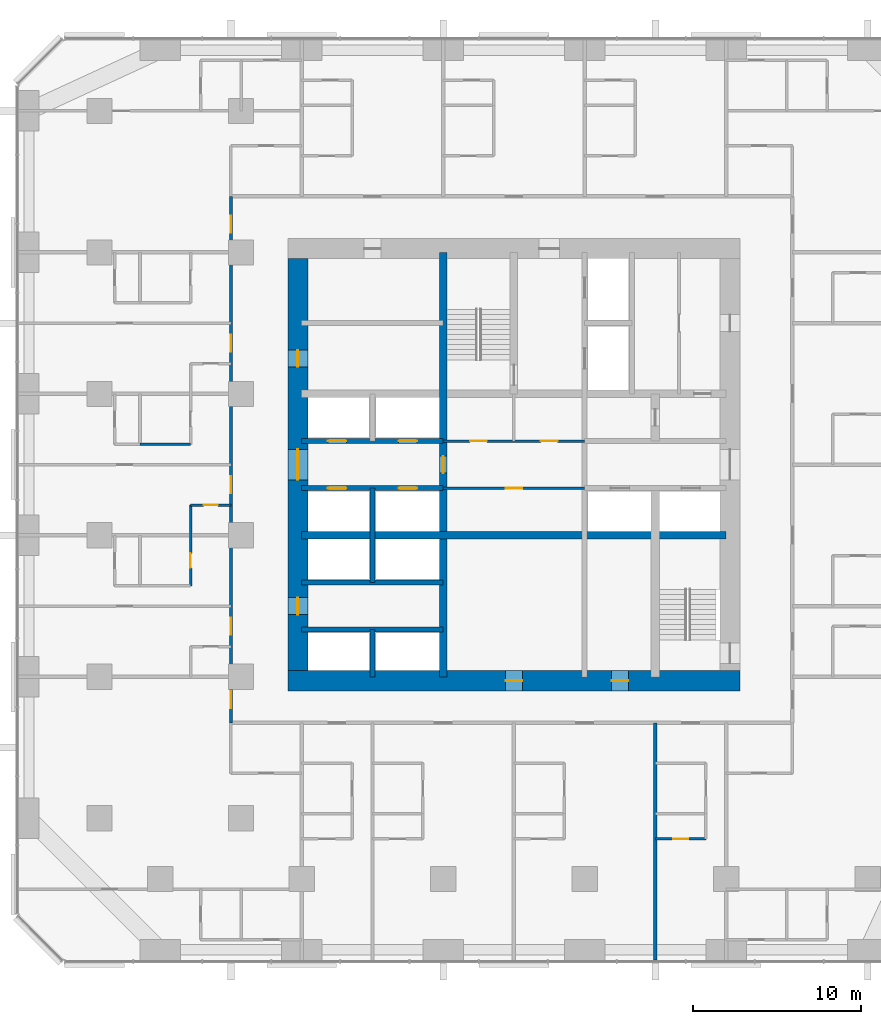
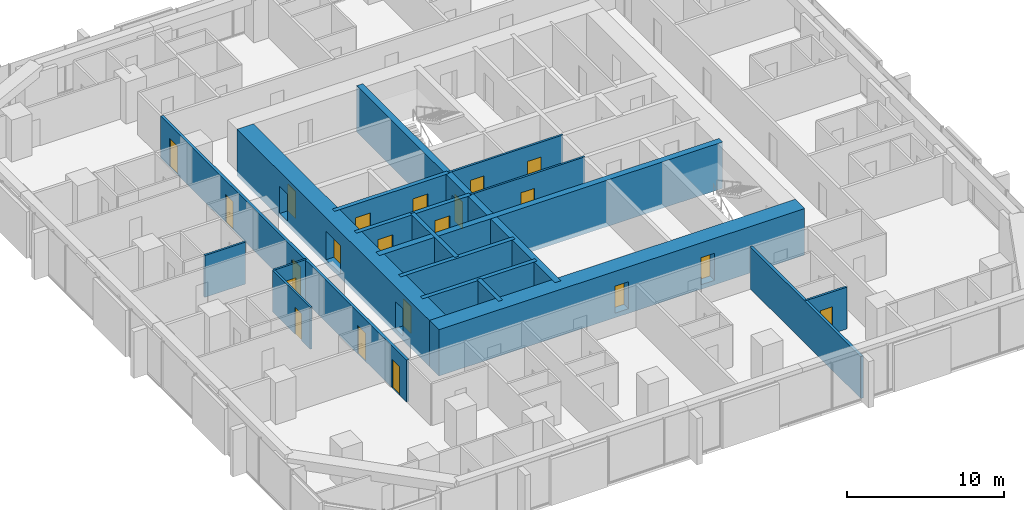
# One storey, part 9 of 14: 21 doors, 18 walls, 21 openings.
"""IFC4 building model written with IfcOpenShell, lengths in metres."""

from ifc_helpers import new_model, si_unit, direction, frame, frame_2d, origin, place, context, subcontext, project, spatial, rectangle, extrude, material, layer, layer_set, type_object, element, fill, save


model = new_model("IFC4")

# Units and contexts
model_context = context("Model", 3, precision=1e-05, world=origin(), true_north=direction((0.0, 1.0)))
body_context = subcontext(model_context, "Body", "Model", "MODEL_VIEW")
ifc_project = project(units=[si_unit("LENGTHUNIT", "METRE"), si_unit("AREAUNIT", "SQUARE_METRE"), si_unit("VOLUMEUNIT", "CUBIC_METRE"), si_unit("PLANEANGLEUNIT", "RADIAN"), si_unit("MASSUNIT", "GRAM", prefix="KILO")], contexts=[model_context])

# Site, building, storey
site_placement = place(None, origin())
site = spatial("IfcSite", under=ifc_project, at=site_placement, CompositionType="ELEMENT")
building_placement = place(site_placement, origin())
building = spatial("IfcBuilding", under=site, at=building_placement, Name="Dunama Terrace Hotel", CompositionType="ELEMENT")
storey_placement = place(building_placement, frame((0.0, 0.0, 104.39990234375)))
storey = spatial("IfcBuildingStorey", under=building, at=storey_placement, Name="L26", CompositionType="ELEMENT", Elevation=104.39990234375)

# Wall, opening, door
ifc_material_1 = material(Name="Gypsum board partition", Category="masonry")
ifc_layer_1 = layer(ifc_material_1, 0.14990234375)
ifc_layer_set_1 = layer_set([ifc_layer_1], Name="Bathroom partition 150")
wall_type_1 = type_object("IfcWallType", Name="Bathroom partition 150", PredefinedType="PARTITIONING", material=ifc_layer_set_1)
wall_1_placement = place(storey_placement, frame((10.199951171875, 22.199951171875, 0.0), z_axis=(0.0, 0.0, 1.0), x_axis=(0.0, 1.0, 0.0)))
wall_1 = element("IfcWall", 1, at=wall_1_placement, inside=storey, type_object=wall_type_1, Name="Bathroom partition 150 L26", PredefinedType="PARTITIONING", context=body_context, shape_type="SweptSolid", body=[
    extrude(rectangle(XDim=4.800048828125, YDim=0.14990234375, at=frame_2d((2.39990234375, 0.0))), origin(), (0.0, 0.0, 1.0), 3.25),
])
opening_1_placement = place(wall_1_placement, frame((1.074951171875, 0.0, 0.0)))
opening_1 = element("IfcOpeningElement", 2, at=opening_1_placement, cuts=wall_1, Name="Opening L25-27-047", PredefinedType="OPENING", context=body_context, shape_type="SweptSolid", body=[
    extrude(rectangle(XDim=0.85009765625, YDim=2.10009765625, at=frame_2d((0.425048828125, 1.050048828125))), frame((0.0, 0.0849609375, 0.0), z_axis=(0.0, -1.0, 0.0), x_axis=(1.0, 0.0, 0.0)), (0.0, 0.0, 1.0), 0.169921875),
])
ifc_material_2 = material(Name="Timber door with steel frame", Category="steel")
door_type_1 = type_object("IfcDoorType", Name="Bathroom door 850", OperationType="SINGLE_SWING_LEFT", PredefinedType="DOOR", material=ifc_material_2)
door_1_placement = place(opening_1_placement, origin())
door_1 = element("IfcDoor", 3, at=door_1_placement, inside=storey, type_object=door_type_1, Name="Door to en-suite bathroom L25-27-047, type D2", OperationType="SINGLE_SWING_RIGHT", OverallHeight=2.10009765625, OverallWidth=0.85009765625, PredefinedType="DOOR", context=body_context, shape_type="SweptSolid", body=[
    extrude(rectangle(XDim=0.85009765625, YDim=2.10009765625, at=frame_2d((0.425048828125, 1.050048828125))), frame((0.0, 0.02490234375, 0.0), z_axis=(0.0, -1.0, 0.0), x_axis=(1.0, 0.0, 0.0)), (0.0, 0.0, 1.0), 0.050048828125),
])
fill(opening_1, door_1)

wall_2_placement = place(storey_placement, frame((10.199951171875, 27.0, 0.0), z_axis=(0.0, 0.0, 1.0), x_axis=(1.0, 0.0, 0.0)))
wall_2 = element("IfcWall", 4, at=wall_2_placement, inside=storey, type_object=wall_type_1, Name="Bathroom partition 150 L26", PredefinedType="PARTITIONING", context=body_context, shape_type="SweptSolid", body=[
    extrude(rectangle(XDim=2.400146484375, YDim=0.14990234375, at=frame_2d((1.2001953125, 0.0))), origin(), (0.0, 0.0, 1.0), 3.25),
])
opening_2_placement = place(wall_2_placement, frame((0.77490234375, 0.0, 0.0)))
opening_2 = element("IfcOpeningElement", 5, at=opening_2_placement, cuts=wall_2, Name="Opening L25-27-050", PredefinedType="OPENING", context=body_context, shape_type="SweptSolid", body=[
    extrude(rectangle(XDim=0.85009765625, YDim=2.10009765625, at=frame_2d((0.425048828125, 1.050048828125))), frame((0.0, 0.0849609375, 0.0), z_axis=(0.0, -1.0, 0.0), x_axis=(1.0, 0.0, 0.0)), (0.0, 0.0, 1.0), 0.169921875),
])
door_2_placement = place(opening_2_placement, frame((0.85009765625, 0.0, 0.0), z_axis=(0.0, 0.0, 1.0), x_axis=(-1.0, 0.0, 0.0)))
door_2 = element("IfcDoor", 6, at=door_2_placement, inside=storey, type_object=door_type_1, Name="Door to powder room L25-27-050, type D2", OperationType="SINGLE_SWING_LEFT", OverallHeight=2.10009765625, OverallWidth=0.85009765625, PredefinedType="DOOR", context=body_context, shape_type="SweptSolid", body=[
    extrude(rectangle(XDim=0.85009765625, YDim=2.10009765625, at=frame_2d((0.425048828125, 1.050048828125))), frame((0.0, 0.025146484375, 0.0), z_axis=(0.0, -1.0, 0.0), x_axis=(1.0, 0.0, 0.0)), (0.0, 0.0, 1.0), 0.050048828125),
])
fill(opening_2, door_2)

# Walls
wall_3_placement = place(storey_placement, frame((7.199951171875, 30.60009765625, 0.0), z_axis=(0.0, 0.0, 1.0), x_axis=(1.0, 0.0, 0.0)))
element("IfcWall", 7, at=wall_3_placement, inside=storey, type_object=wall_type_1, Name="Bathroom partition 150 L26", PredefinedType="PARTITIONING", context=body_context, shape_type="SweptSolid", body=[
    extrude(rectangle(XDim=3.0, YDim=0.14990234375, at=frame_2d((1.5, 0.0))), origin(), (0.0, 0.0, 1.0), 3.25),
])
ifc_material_3 = material(Name="Concrete C50/60", Category="concrete")
ifc_layer_2 = layer(ifc_material_3, 0.300048828125)
ifc_layer_set_2 = layer_set([ifc_layer_2], Name="Core inner wall 300")
wall_type_2 = type_object("IfcWallType", Name="Core inner wall 300", PredefinedType="SHEAR", material=ifc_layer_set_2)
wall_4_placement = place(storey_placement, frame((21.0, 16.800048828125, -0.349853515625), z_axis=(0.0, 0.0, 1.0), x_axis=(0.0, 1.0, 0.0)))
element("IfcWall", 8, at=wall_4_placement, inside=storey, type_object=wall_type_2, Name="Core inner wall 300 L26", PredefinedType="SHEAR", context=body_context, shape_type="SweptSolid", body=[
    extrude(rectangle(XDim=2.800048828125, YDim=0.300048828125, at=frame_2d((1.39990234375, 0.0))), origin(), (0.0, 0.0, 1.0), 3.599853515625),
])
wall_5_placement = place(storey_placement, frame((21.0, 22.39990234375, -0.349853515625), z_axis=(0.0, 0.0, 1.0), x_axis=(0.0, 1.0, 0.0)))
element("IfcWall", 9, at=wall_5_placement, inside=storey, type_object=wall_type_2, Name="Core inner wall 300 L26", PredefinedType="SHEAR", context=body_context, shape_type="SweptSolid", body=[
    extrude(rectangle(XDim=5.60009765625, YDim=0.300048828125, at=frame_2d((2.800048828125, 0.0))), origin(), (0.0, 0.0, 1.0), 3.599853515625),
])
for number, where, z_axis, x_axis, name in (
    (10, (16.800048828125, 19.60009765625, -0.349853515625), (0.0, 0.0, 1.0), (1.0, 0.0, 0.0), "Core inner wall 300 L26"),
    (11, (16.800048828125, 22.39990234375, -0.349853515625), (0.0, 0.0, 1.0), (1.0, 0.0, 0.0), "Core inner wall 300 L26"),
):
    element("IfcWall", number, at=place(storey_placement, frame(where, z_axis=z_axis, x_axis=x_axis)), inside=storey, type_object=wall_type_2, Name=name, PredefinedType="SHEAR", context=body_context, shape_type="SweptSolid", body=[
        extrude(rectangle(XDim=8.39990234375, YDim=0.300048828125, at=frame_2d((4.199951171875, 0.0))), origin(), (0.0, 0.0, 1.0), 3.599853515625),
    ])

# Wall, openings, doors
wall_6_placement = place(storey_placement, frame((16.800048828125, 28.0, -0.349853515625), z_axis=(0.0, 0.0, 1.0), x_axis=(1.0, 0.0, 0.0)))
wall_6 = element("IfcWall", 12, at=wall_6_placement, inside=storey, type_object=wall_type_2, Name="Core inner wall 300 L26", PredefinedType="SHEAR", context=body_context, shape_type="SweptSolid", body=[
    extrude(rectangle(XDim=8.39990234375, YDim=0.300048828125, at=frame_2d((4.199951171875, 0.0))), origin(), (0.0, 0.0, 1.0), 3.599853515625),
])
opening_3_placement = place(wall_6_placement, frame((1.550048828125, 0.0, 0.35009765625)))
opening_3 = element("IfcOpeningElement", 13, at=opening_3_placement, cuts=wall_6, Name="Opening L25-27-005", PredefinedType="OPENING", context=body_context, shape_type="SweptSolid", body=[
    extrude(rectangle(XDim=1.10009765625, YDim=2.199951171875, at=frame_2d((0.550048828125, 1.10009765625))), frame((0.0, 0.159912109375, 0.0), z_axis=(0.0, -1.0, 0.0), x_axis=(1.0, 0.0, 0.0)), (0.0, 0.0, 1.0), 0.320068359375),
])
opening_4_placement = place(wall_6_placement, frame((5.75, 0.0, 0.35009765625)))
opening_4 = element("IfcOpeningElement", 14, at=opening_4_placement, cuts=wall_6, Name="Opening L25-27-006", PredefinedType="OPENING", context=body_context, shape_type="SweptSolid", body=[
    extrude(rectangle(XDim=1.10009765625, YDim=2.199951171875, at=frame_2d((0.550048828125, 1.10009765625))), frame((0.0, 0.159912109375, 0.0), z_axis=(0.0, -1.0, 0.0), x_axis=(1.0, 0.0, 0.0)), (0.0, 0.0, 1.0), 0.320068359375),
])
ifc_material_4 = material(Name="Stainless steel lift door", Category="steel")
door_type_2 = type_object("IfcDoorType", Name="Lift landing door 1100", OperationType="DOUBLE_DOOR_SLIDING", PredefinedType="DOOR", material=ifc_material_4)
door_3_placement = place(opening_3_placement, origin())
door_3 = element("IfcDoor", 15, at=door_3_placement, inside=storey, type_object=door_type_2, Name="Landing door PC1 L25-27-005, type LD1", OperationType="DOUBLE_DOOR_SLIDING", OverallHeight=2.199951171875, OverallWidth=1.10009765625, PredefinedType="DOOR", context=body_context, shape_type="SweptSolid", body=[
    extrude(rectangle(XDim=1.10009765625, YDim=2.199951171875, at=frame_2d((0.550048828125, 1.10009765625))), frame((0.0, 0.02490234375, 0.0), z_axis=(0.0, -1.0, 0.0), x_axis=(1.0, 0.0, 0.0)), (0.0, 0.0, 1.0), 0.050048828125),
])
fill(opening_3, door_3)
door_4_placement = place(opening_4_placement, origin())
door_4 = element("IfcDoor", 16, at=door_4_placement, inside=storey, type_object=door_type_2, Name="Landing door PC2 L25-27-006, type LD1", OperationType="DOUBLE_DOOR_SLIDING", OverallHeight=2.199951171875, OverallWidth=1.10009765625, PredefinedType="DOOR", context=body_context, shape_type="SweptSolid", body=[
    extrude(rectangle(XDim=1.10009765625, YDim=2.199951171875, at=frame_2d((0.550048828125, 1.10009765625))), frame((0.0, 0.02490234375, 0.0), z_axis=(0.0, -1.0, 0.0), x_axis=(1.0, 0.0, 0.0)), (0.0, 0.0, 1.0), 0.050048828125),
])
fill(opening_4, door_4)

wall_7_placement = place(storey_placement, frame((16.800048828125, 30.800048828125, -0.349853515625), z_axis=(0.0, 0.0, 1.0), x_axis=(1.0, 0.0, 0.0)))
wall_7 = element("IfcWall", 17, at=wall_7_placement, inside=storey, type_object=wall_type_2, Name="Core inner wall 300 L26", PredefinedType="SHEAR", context=body_context, shape_type="SweptSolid", body=[
    extrude(rectangle(XDim=8.39990234375, YDim=0.300048828125, at=frame_2d((4.199951171875, 0.0))), origin(), (0.0, 0.0, 1.0), 3.599853515625),
])
opening_5_placement = place(wall_7_placement, frame((1.550048828125, 0.0, 0.35009765625)))
opening_5 = element("IfcOpeningElement", 18, at=opening_5_placement, cuts=wall_7, Name="Opening L25-27-007", PredefinedType="OPENING", context=body_context, shape_type="SweptSolid", body=[
    extrude(rectangle(XDim=1.10009765625, YDim=2.199951171875, at=frame_2d((0.550048828125, 1.10009765625))), frame((0.0, 0.159912109375, 0.0), z_axis=(0.0, -1.0, 0.0), x_axis=(1.0, 0.0, 0.0)), (0.0, 0.0, 1.0), 0.320068359375),
])
opening_6_placement = place(wall_7_placement, frame((5.75, 0.0, 0.35009765625)))
opening_6 = element("IfcOpeningElement", 19, at=opening_6_placement, cuts=wall_7, Name="Opening L25-27-008", PredefinedType="OPENING", context=body_context, shape_type="SweptSolid", body=[
    extrude(rectangle(XDim=1.10009765625, YDim=2.199951171875, at=frame_2d((0.550048828125, 1.10009765625))), frame((0.0, 0.159912109375, 0.0), z_axis=(0.0, -1.0, 0.0), x_axis=(1.0, 0.0, 0.0)), (0.0, 0.0, 1.0), 0.320068359375),
])
door_5_placement = place(opening_5_placement, origin())
door_5 = element("IfcDoor", 20, at=door_5_placement, inside=storey, type_object=door_type_2, Name="Landing door PC3 L25-27-007, type LD1", OperationType="DOUBLE_DOOR_SLIDING", OverallHeight=2.199951171875, OverallWidth=1.10009765625, PredefinedType="DOOR", context=body_context, shape_type="SweptSolid", body=[
    extrude(rectangle(XDim=1.10009765625, YDim=2.199951171875, at=frame_2d((0.550048828125, 1.10009765625))), frame((0.0, 0.02490234375, 0.0), z_axis=(0.0, -1.0, 0.0), x_axis=(1.0, 0.0, 0.0)), (0.0, 0.0, 1.0), 0.050048828125),
])
fill(opening_5, door_5)
door_6_placement = place(opening_6_placement, origin())
door_6 = element("IfcDoor", 21, at=door_6_placement, inside=storey, type_object=door_type_2, Name="Landing door PC4 L25-27-008, type LD1", OperationType="DOUBLE_DOOR_SLIDING", OverallHeight=2.199951171875, OverallWidth=1.10009765625, PredefinedType="DOOR", context=body_context, shape_type="SweptSolid", body=[
    extrude(rectangle(XDim=1.10009765625, YDim=2.199951171875, at=frame_2d((0.550048828125, 1.10009765625))), frame((0.0, 0.02490234375, 0.0), z_axis=(0.0, -1.0, 0.0), x_axis=(1.0, 0.0, 0.0)), (0.0, 0.0, 1.0), 0.050048828125),
])
fill(opening_6, door_6)

# Wall, opening, door
ifc_material_5 = material(Name="Concrete C50/60", Category="concrete")
ifc_layer_3 = layer(ifc_material_5, 0.449951171875)
ifc_layer_set_3 = layer_set([ifc_layer_3], Name="Core inner wall 450")
wall_type_3 = type_object("IfcWallType", Name="Core inner wall 450", PredefinedType="SHEAR", material=ifc_layer_set_3)
wall_8_placement = place(storey_placement, frame((25.199951171875, 16.800048828125, -0.349853515625), z_axis=(0.0, 0.0, 1.0), x_axis=(0.0, 1.0, 0.0)))
wall_8 = element("IfcWall", 22, at=wall_8_placement, inside=storey, type_object=wall_type_3, Name="Core inner wall 450 L26", PredefinedType="SHEAR", context=body_context, shape_type="SweptSolid", body=[
    extrude(rectangle(XDim=25.199951171875, YDim=0.449951171875, at=frame_2d((12.60009765625, 0.0))), origin(), (0.0, 0.0, 1.0), 3.599853515625),
])
opening_7_placement = place(wall_8_placement, frame((12.10009765625, 0.0, 0.35009765625)))
opening_7 = element("IfcOpeningElement", 23, at=opening_7_placement, cuts=wall_8, Name="Opening L25-27-083", PredefinedType="OPENING", context=body_context, shape_type="SweptSolid", body=[
    extrude(rectangle(XDim=1.0, YDim=2.10009765625, at=frame_2d((0.5, 1.050048828125))), frame((0.0, 0.23486328125, 0.0), z_axis=(0.0, -1.0, 0.0), x_axis=(1.0, 0.0, 0.0)), (0.0, 0.0, 1.0), 0.469970703125),
])
ifc_material_6 = material(Name="Timber door with steel frame", Category="steel")
door_type_3 = type_object("IfcDoorType", Name="Service door 1000", OperationType="SINGLE_SWING_LEFT", PredefinedType="DOOR", material=ifc_material_6)
door_7_placement = place(opening_7_placement, origin())
door_7 = element("IfcDoor", 24, at=door_7_placement, inside=storey, type_object=door_type_3, Name="Door to guest services passage L25-27-083, type D7", OperationType="SINGLE_SWING_LEFT", OverallHeight=2.10009765625, OverallWidth=1.0, PredefinedType="DOOR", context=body_context, shape_type="SweptSolid", body=[
    extrude(rectangle(XDim=1.0, YDim=2.10009765625, at=frame_2d((0.5, 1.050048828125))), frame((0.0, 0.02490234375, 0.0), z_axis=(0.0, -1.0, 0.0), x_axis=(1.0, 0.0, 0.0)), (0.0, 0.0, 1.0), 0.050048828125),
])
fill(opening_7, door_7)

# Wall
wall_9_placement = place(storey_placement, frame((16.800048828125, 25.199951171875, -0.349853515625), z_axis=(0.0, 0.0, 1.0), x_axis=(1.0, 0.0, 0.0)))
element("IfcWall", 25, at=wall_9_placement, inside=storey, type_object=wall_type_3, Name="Core inner wall 450 L26", PredefinedType="SHEAR", context=body_context, shape_type="SweptSolid", body=[
    extrude(rectangle(XDim=25.199951171875, YDim=0.449951171875, at=frame_2d((12.60009765625, 0.0))), origin(), (0.0, 0.0, 1.0), 3.599853515625),
])

# Wall, openings, doors
ifc_material_7 = material(Name="Concrete C60/75", Category="concrete")
ifc_layer_4 = layer(ifc_material_7, 1.199951171875)
ifc_layer_set_4 = layer_set([ifc_layer_4], Name="Core wall 1200")
wall_type_4 = type_object("IfcWallType", Name="Core wall 1200", PredefinedType="SHEAR", material=ifc_layer_set_4)
wall_10_placement = place(storey_placement, frame((15.97509765625, 16.574951171875, -0.349853515625), z_axis=(0.0, 0.0, 1.0), x_axis=(1.0, 0.0, 0.0)))
wall_10 = element("IfcWall", 26, at=wall_10_placement, inside=storey, type_object=wall_type_4, Name="Core wall south L26", PredefinedType="SHEAR", context=body_context, shape_type="SweptSolid", body=[
    extrude(rectangle(XDim=26.849853515625, YDim=1.199951171875, at=frame_2d((13.4248046875, 0.0))), origin(), (0.0, 0.0, 1.0), 3.599853515625),
])
opening_8_placement = place(wall_10_placement, frame((12.925048828125, 0.0, 0.35009765625)))
opening_8 = element("IfcOpeningElement", 27, at=opening_8_placement, cuts=wall_10, Name="Opening L25-27-093", PredefinedType="OPENING", context=body_context, shape_type="SweptSolid", body=[
    extrude(rectangle(XDim=1.0, YDim=2.10009765625, at=frame_2d((0.5, 1.050048828125))), frame((0.0, 0.60986328125, 0.0), z_axis=(0.0, -1.0, 0.0), x_axis=(1.0, 0.0, 0.0)), (0.0, 0.0, 1.0), 1.219970703125),
])
opening_9_placement = place(wall_10_placement, frame((19.22509765625, 0.0, 0.35009765625)))
opening_9 = element("IfcOpeningElement", 28, at=opening_9_placement, cuts=wall_10, Name="Opening L25-27-094", PredefinedType="OPENING", context=body_context, shape_type="SweptSolid", body=[
    extrude(rectangle(XDim=1.0, YDim=2.10009765625, at=frame_2d((0.5, 1.050048828125))), frame((0.0, 0.60986328125, 0.0), z_axis=(0.0, -1.0, 0.0), x_axis=(1.0, 0.0, 0.0)), (0.0, 0.0, 1.0), 1.219970703125),
])
door_8_placement = place(opening_8_placement, origin())
door_8 = element("IfcDoor", 29, at=door_8_placement, inside=storey, type_object=door_type_3, Name="Door to corridor air handling room L25-27-093, type D7", OperationType="SINGLE_SWING_LEFT", OverallHeight=2.10009765625, OverallWidth=1.0, PredefinedType="DOOR", context=body_context, shape_type="SweptSolid", body=[
    extrude(rectangle(XDim=1.0, YDim=2.10009765625, at=frame_2d((0.5, 1.050048828125))), frame((0.0, 0.02490234375, 0.0), z_axis=(0.0, -1.0, 0.0), x_axis=(1.0, 0.0, 0.0)), (0.0, 0.0, 1.0), 0.050048828125),
])
fill(opening_8, door_8)
door_9_placement = place(opening_9_placement, origin())
door_9 = element("IfcDoor", 30, at=door_9_placement, inside=storey, type_object=door_type_3, Name="Door to water riser room L25-27-094, type D7", OperationType="SINGLE_SWING_RIGHT", OverallHeight=2.10009765625, OverallWidth=1.0, PredefinedType="DOOR", context=body_context, shape_type="SweptSolid", body=[
    extrude(rectangle(XDim=1.0, YDim=2.10009765625, at=frame_2d((0.5, 1.050048828125))), frame((0.0, 0.02490234375, 0.0), z_axis=(0.0, -1.0, 0.0), x_axis=(1.0, 0.0, 0.0)), (0.0, 0.0, 1.0), 0.050048828125),
])
fill(opening_9, door_9)

wall_11_placement = place(storey_placement, frame((16.574951171875, 41.625, -0.349853515625), z_axis=(0.0, 0.0, 1.0), x_axis=(0.0, -1.0, 0.0)))
wall_11 = element("IfcWall", 31, at=wall_11_placement, inside=storey, type_object=wall_type_4, Name="Core wall west L26", PredefinedType="SHEAR", context=body_context, shape_type="SweptSolid", body=[
    extrude(rectangle(XDim=24.449951171875, YDim=1.199951171875, at=frame_2d((12.22509765625, 0.0))), origin(), (0.0, 0.0, 1.0), 3.599853515625),
])
opening_10_placement = place(wall_11_placement, frame((11.324951171875, 0.0, 0.35009765625)))
opening_10 = element("IfcOpeningElement", 32, at=opening_10_placement, cuts=wall_11, Name="Opening L25-27-079", PredefinedType="OPENING", context=body_context, shape_type="SweptSolid", body=[
    extrude(rectangle(XDim=1.800048828125, YDim=2.199951171875, at=frame_2d((0.89990234375, 1.10009765625))), frame((0.0, 0.60986328125, 0.0), z_axis=(0.0, -1.0, 0.0), x_axis=(1.0, 0.0, 0.0)), (0.0, 0.0, 1.0), 1.219970703125),
])
opening_11_placement = place(wall_11_placement, frame((20.125, 0.0, 0.35009765625)))
opening_11 = element("IfcOpeningElement", 33, at=opening_11_placement, cuts=wall_11, Name="Opening L25-27-080", PredefinedType="OPENING", context=body_context, shape_type="SweptSolid", body=[
    extrude(rectangle(XDim=1.0, YDim=2.10009765625, at=frame_2d((0.5, 1.050048828125))), frame((0.0, 0.60986328125, 0.0), z_axis=(0.0, -1.0, 0.0), x_axis=(1.0, 0.0, 0.0)), (0.0, 0.0, 1.0), 1.219970703125),
])
opening_12_placement = place(wall_11_placement, frame((5.425048828125, 0.0, 0.35009765625)))
opening_12 = element("IfcOpeningElement", 34, at=opening_12_placement, cuts=wall_11, Name="Opening L25-27-081", PredefinedType="OPENING", context=body_context, shape_type="SweptSolid", body=[
    extrude(rectangle(XDim=1.0, YDim=2.10009765625, at=frame_2d((0.5, 1.050048828125))), frame((0.0, 0.60986328125, 0.0), z_axis=(0.0, -1.0, 0.0), x_axis=(1.0, 0.0, 0.0)), (0.0, 0.0, 1.0), 1.219970703125),
])
ifc_material_8 = material(Name="Timber door with steel frame", Category="steel")
door_type_4 = type_object("IfcDoorType", Name="Lift lobby double door 1800", OperationType="DOUBLE_DOOR_DOUBLE_SWING", PredefinedType="DOOR", material=ifc_material_8)
door_10_placement = place(opening_10_placement, origin())
door_10 = element("IfcDoor", 35, at=door_10_placement, inside=storey, type_object=door_type_4, Name="Door to lift lobby L25-27-079, type D3", OperationType="DOUBLE_DOOR_DOUBLE_SWING", OverallHeight=2.199951171875, OverallWidth=1.800048828125, PredefinedType="DOOR", context=body_context, shape_type="SweptSolid", body=[
    extrude(rectangle(XDim=1.800048828125, YDim=2.199951171875, at=frame_2d((0.89990234375, 1.10009765625))), frame((0.0, 0.02490234375, 0.0), z_axis=(0.0, -1.0, 0.0), x_axis=(1.0, 0.0, 0.0)), (0.0, 0.0, 1.0), 0.050048828125),
])
fill(opening_10, door_10)
door_11_placement = place(opening_11_placement, origin())
door_11 = element("IfcDoor", 36, at=door_11_placement, inside=storey, type_object=door_type_3, Name="Door to service lobby L25-27-080, type D7", OperationType="SINGLE_SWING_LEFT", OverallHeight=2.10009765625, OverallWidth=1.0, PredefinedType="DOOR", context=body_context, shape_type="SweptSolid", body=[
    extrude(rectangle(XDim=1.0, YDim=2.10009765625, at=frame_2d((0.5, 1.050048828125))), frame((0.0, 0.02490234375, 0.0), z_axis=(0.0, -1.0, 0.0), x_axis=(1.0, 0.0, 0.0)), (0.0, 0.0, 1.0), 0.050048828125),
])
fill(opening_11, door_11)
door_12_placement = place(opening_12_placement, origin())
door_12 = element("IfcDoor", 37, at=door_12_placement, inside=storey, type_object=door_type_3, Name="Door to electrical room L25-27-081, type D7", OperationType="SINGLE_SWING_RIGHT", OverallHeight=2.10009765625, OverallWidth=1.0, PredefinedType="DOOR", context=body_context, shape_type="SweptSolid", body=[
    extrude(rectangle(XDim=1.0, YDim=2.10009765625, at=frame_2d((0.5, 1.050048828125))), frame((0.0, 0.02490234375, 0.0), z_axis=(0.0, -1.0, 0.0), x_axis=(1.0, 0.0, 0.0)), (0.0, 0.0, 1.0), 0.050048828125),
])
fill(opening_12, door_12)

ifc_material_9 = material(Name="Concrete blockwork", Category="masonry")
ifc_layer_5 = layer(ifc_material_9, 0.199951171875)
ifc_layer_set_5 = layer_set([ifc_layer_5], Name="Corridor partition 200")
wall_type_5 = type_object("IfcWallType", Name="Corridor partition 200", PredefinedType="PARTITIONING", material=ifc_layer_set_5)
wall_12_placement = place(storey_placement, frame((12.60009765625, 14.074951171875, 0.0), z_axis=(0.0, 0.0, 1.0), x_axis=(0.0, 1.0, 0.0)))
wall_12 = element("IfcWall", 38, at=wall_12_placement, inside=storey, type_object=wall_type_5, Name="Corridor partition 200 L26", PredefinedType="PARTITIONING", context=body_context, shape_type="SweptSolid", body=[
    extrude(rectangle(XDim=31.25, YDim=0.199951171875, at=frame_2d((15.625, 0.0))), origin(), (0.0, 0.0, 1.0), 3.25),
])
opening_13_placement = place(wall_12_placement, frame((5.22509765625, 0.0, 0.0)))
opening_13 = element("IfcOpeningElement", 39, at=opening_13_placement, cuts=wall_12, Name="Opening L25-27-044", PredefinedType="OPENING", context=body_context, shape_type="SweptSolid", body=[
    extrude(rectangle(XDim=1.0, YDim=2.199951171875, at=frame_2d((0.5, 1.10009765625))), frame((0.0, 0.10986328125, 0.0), z_axis=(0.0, -1.0, 0.0), x_axis=(1.0, 0.0, 0.0)), (0.0, 0.0, 1.0), 0.219970703125),
])
opening_14_placement = place(wall_12_placement, frame((13.625, 0.0, 0.0)))
opening_14 = element("IfcOpeningElement", 40, at=opening_14_placement, cuts=wall_12, Name="Opening L25-27-049", PredefinedType="OPENING", context=body_context, shape_type="SweptSolid", body=[
    extrude(rectangle(XDim=1.0, YDim=2.199951171875, at=frame_2d((0.5, 1.10009765625))), frame((0.0, 0.10986328125, 0.0), z_axis=(0.0, -1.0, 0.0), x_axis=(1.0, 0.0, 0.0)), (0.0, 0.0, 1.0), 0.219970703125),
])
opening_15_placement = place(wall_12_placement, frame((22.02490234375, 0.0, 0.0)))
opening_15 = element("IfcOpeningElement", 41, at=opening_15_placement, cuts=wall_12, Name="Opening L25-27-054", PredefinedType="OPENING", context=body_context, shape_type="SweptSolid", body=[
    extrude(rectangle(XDim=1.0, YDim=2.199951171875, at=frame_2d((0.5, 1.10009765625))), frame((0.0, 0.10986328125, 0.0), z_axis=(0.0, -1.0, 0.0), x_axis=(1.0, 0.0, 0.0)), (0.0, 0.0, 1.0), 0.219970703125),
])
opening_16_placement = place(wall_12_placement, frame((0.863037109375, 0.0, 0.0)))
opening_16 = element("IfcOpeningElement", 42, at=opening_16_placement, cuts=wall_12, Name="Opening L25-27-059", PredefinedType="OPENING", context=body_context, shape_type="SweptSolid", body=[
    extrude(rectangle(XDim=1.0, YDim=2.199951171875, at=frame_2d((0.5, 1.10009765625))), frame((0.0, 0.10986328125, 0.0), z_axis=(0.0, -1.0, 0.0), x_axis=(1.0, 0.0, 0.0)), (0.0, 0.0, 1.0), 0.219970703125),
])
opening_17_placement = place(wall_12_placement, frame((29.087890625, 0.0, 0.0)))
opening_17 = element("IfcOpeningElement", 43, at=opening_17_placement, cuts=wall_12, Name="Opening L25-27-074", PredefinedType="OPENING", context=body_context, shape_type="SweptSolid", body=[
    extrude(rectangle(XDim=1.0, YDim=2.199951171875, at=frame_2d((0.5, 1.10009765625))), frame((0.0, 0.10986328125, 0.0), z_axis=(0.0, -1.0, 0.0), x_axis=(1.0, 0.0, 0.0)), (0.0, 0.0, 1.0), 0.219970703125),
])
ifc_material_10 = material(Name="Timber door with steel frame", Category="steel")
door_type_5 = type_object("IfcDoorType", Name="Guest room door 1000", OperationType="SINGLE_SWING_LEFT", PredefinedType="DOOR", material=ifc_material_10)
door_13_placement = place(opening_13_placement, origin())
door_13 = element("IfcDoor", 44, at=door_13_placement, inside=storey, type_object=door_type_5, Name="Door to premier suite living room L25-27-044, type D1", OperationType="SINGLE_SWING_LEFT", OverallHeight=2.199951171875, OverallWidth=1.0, PredefinedType="DOOR", context=body_context, shape_type="SweptSolid", body=[
    extrude(rectangle(XDim=1.0, YDim=2.199951171875, at=frame_2d((0.5, 1.10009765625))), frame((0.0, 0.02490234375, 0.0), z_axis=(0.0, -1.0, 0.0), x_axis=(1.0, 0.0, 0.0)), (0.0, 0.0, 1.0), 0.050048828125),
])
fill(opening_13, door_13)
door_14_placement = place(opening_14_placement, origin())
door_14 = element("IfcDoor", 45, at=door_14_placement, inside=storey, type_object=door_type_5, Name="Door to premier suite living room L25-27-049, type D1", OperationType="SINGLE_SWING_LEFT", OverallHeight=2.199951171875, OverallWidth=1.0, PredefinedType="DOOR", context=body_context, shape_type="SweptSolid", body=[
    extrude(rectangle(XDim=1.0, YDim=2.199951171875, at=frame_2d((0.5, 1.10009765625))), frame((0.0, 0.02490234375, 0.0), z_axis=(0.0, -1.0, 0.0), x_axis=(1.0, 0.0, 0.0)), (0.0, 0.0, 1.0), 0.050048828125),
])
fill(opening_14, door_14)
door_15_placement = place(opening_15_placement, origin())
door_15 = element("IfcDoor", 46, at=door_15_placement, inside=storey, type_object=door_type_5, Name="Door to premier suite living room L25-27-054, type D1", OperationType="SINGLE_SWING_LEFT", OverallHeight=2.199951171875, OverallWidth=1.0, PredefinedType="DOOR", context=body_context, shape_type="SweptSolid", body=[
    extrude(rectangle(XDim=1.0, YDim=2.199951171875, at=frame_2d((0.5, 1.10009765625))), frame((0.0, 0.02490234375, 0.0), z_axis=(0.0, -1.0, 0.0), x_axis=(1.0, 0.0, 0.0)), (0.0, 0.0, 1.0), 0.050048828125),
])
fill(opening_15, door_15)
door_16_placement = place(opening_16_placement, origin())
door_16 = element("IfcDoor", 47, at=door_16_placement, inside=storey, type_object=door_type_5, Name="Door to corner suite living room L25-27-059, type D1", OperationType="SINGLE_SWING_RIGHT", OverallHeight=2.199951171875, OverallWidth=1.0, PredefinedType="DOOR", context=body_context, shape_type="SweptSolid", body=[
    extrude(rectangle(XDim=1.0, YDim=2.199951171875, at=frame_2d((0.5, 1.10009765625))), frame((0.0, 0.02490234375, 0.0), z_axis=(0.0, -1.0, 0.0), x_axis=(1.0, 0.0, 0.0)), (0.0, 0.0, 1.0), 0.050048828125),
])
fill(opening_16, door_16)
door_17_placement = place(opening_17_placement, origin())
door_17 = element("IfcDoor", 48, at=door_17_placement, inside=storey, type_object=door_type_5, Name="Door to corner suite living room L25-27-074, type D1", OperationType="SINGLE_SWING_LEFT", OverallHeight=2.199951171875, OverallWidth=1.0, PredefinedType="DOOR", context=body_context, shape_type="SweptSolid", body=[
    extrude(rectangle(XDim=1.0, YDim=2.199951171875, at=frame_2d((0.5, 1.10009765625))), frame((0.0, 0.02490234375, 0.0), z_axis=(0.0, -1.0, 0.0), x_axis=(1.0, 0.0, 0.0)), (0.0, 0.0, 1.0), 0.050048828125),
])
fill(opening_17, door_17)

# Wall
ifc_material_11 = material(Name="Concrete blockwork", Category="masonry")
ifc_layer_6 = layer(ifc_material_11, 0.199951171875)
ifc_layer_set_6 = layer_set([ifc_layer_6], Name="Party wall 200")
wall_type_6 = type_object("IfcWallType", Name="Party wall 200", PredefinedType="PARTITIONING", material=ifc_layer_set_6)
wall_13_placement = place(storey_placement, frame((37.800048828125, -0.01806640625, 0.0), z_axis=(0.0, 0.0, 1.0), x_axis=(0.0, 1.0, 0.0)))
element("IfcWall", 49, at=wall_13_placement, inside=storey, type_object=wall_type_6, Name="Party wall 200 L26", PredefinedType="PARTITIONING", context=body_context, shape_type="SweptSolid", body=[
    extrude(rectangle(XDim=14.093017578125, YDim=0.199951171875, at=frame_2d((7.04638671875, 0.0))), origin(), (0.0, 0.0, 1.0), 3.25),
])

# Wall, opening, door
ifc_material_12 = material(Name="Gypsum board partition", Category="masonry")
ifc_layer_7 = layer(ifc_material_12, 0.14990234375)
ifc_layer_set_7 = layer_set([ifc_layer_7], Name="Room partition 150")
wall_type_7 = type_object("IfcWallType", Name="Room partition 150", PredefinedType="PARTITIONING", material=ifc_layer_set_7)
wall_14_placement = place(storey_placement, frame((37.800048828125, 7.175048828125, 0.0), z_axis=(0.0, 0.0, 1.0), x_axis=(1.0, 0.0, 0.0)))
wall_14 = element("IfcWall", 50, at=wall_14_placement, inside=storey, type_object=wall_type_7, Name="Room partition 150 L26", PredefinedType="PARTITIONING", context=body_context, shape_type="SweptSolid", body=[
    extrude(rectangle(XDim=3.0, YDim=0.14990234375, at=frame_2d((1.5, 0.0))), origin(), (0.0, 0.0, 1.0), 3.25),
])
opening_18_placement = place(wall_14_placement, frame((1.050048828125, 0.0, 0.0)))
opening_18 = element("IfcOpeningElement", 51, at=opening_18_placement, cuts=wall_14, Name="Opening L25-27-022", PredefinedType="OPENING", context=body_context, shape_type="SweptSolid", body=[
    extrude(rectangle(XDim=0.89990234375, YDim=2.10009765625, at=frame_2d((0.449951171875, 1.050048828125))), frame((0.0, 0.0849609375, 0.0), z_axis=(0.0, -1.0, 0.0), x_axis=(1.0, 0.0, 0.0)), (0.0, 0.0, 1.0), 0.169921875),
])
ifc_material_13 = material(Name="Timber door with steel frame", Category="steel")
door_type_6 = type_object("IfcDoorType", Name="Suite internal door 900", OperationType="SINGLE_SWING_LEFT", PredefinedType="DOOR", material=ifc_material_13)
door_18_placement = place(opening_18_placement, origin())
door_18 = element("IfcDoor", 52, at=door_18_placement, inside=storey, type_object=door_type_6, Name="Door to walk-in wardrobe L25-27-022, type D16", OperationType="SINGLE_SWING_LEFT", OverallHeight=2.10009765625, OverallWidth=0.89990234375, PredefinedType="DOOR", context=body_context, shape_type="SweptSolid", body=[
    extrude(rectangle(XDim=0.89990234375, YDim=2.10009765625, at=frame_2d((0.449951171875, 1.050048828125))), frame((0.0, 0.02490234375, 0.0), z_axis=(0.0, -1.0, 0.0), x_axis=(1.0, 0.0, 0.0)), (0.0, 0.0, 1.0), 0.050048828125),
])
fill(opening_18, door_18)

wall_15_placement = place(storey_placement, frame((25.199951171875, 28.0, 0.0), z_axis=(0.0, 0.0, 1.0), x_axis=(1.0, 0.0, 0.0)))
wall_15 = element("IfcWall", 53, at=wall_15_placement, inside=storey, type_object=wall_type_7, Name="Room partition 150 L26", PredefinedType="PARTITIONING", context=body_context, shape_type="SweptSolid", body=[
    extrude(rectangle(XDim=8.400146484375, YDim=0.14990234375, at=frame_2d((4.2001953125, 0.0))), origin(), (0.0, 0.0, 1.0), 3.25),
])
opening_19_placement = place(wall_15_placement, frame((3.699951171875, 0.0, 0.0)))
opening_19 = element("IfcOpeningElement", 54, at=opening_19_placement, cuts=wall_15, Name="Opening L25-27-084", PredefinedType="OPENING", context=body_context, shape_type="SweptSolid", body=[
    extrude(rectangle(XDim=1.0, YDim=2.10009765625, at=frame_2d((0.5, 1.050048828125))), frame((0.0, 0.0849609375, 0.0), z_axis=(0.0, -1.0, 0.0), x_axis=(1.0, 0.0, 0.0)), (0.0, 0.0, 1.0), 0.169921875),
])
door_19_placement = place(opening_19_placement, frame((1.0, 0.0, 0.0), z_axis=(0.0, 0.0, 1.0), x_axis=(-1.0, 0.0, 0.0)))
door_19 = element("IfcDoor", 55, at=door_19_placement, inside=storey, type_object=door_type_3, Name="Door to guest luggage room L25-27-084, type D7", OperationType="SINGLE_SWING_RIGHT", OverallHeight=2.10009765625, OverallWidth=1.0, PredefinedType="DOOR", context=body_context, shape_type="SweptSolid", body=[
    extrude(rectangle(XDim=1.0, YDim=2.10009765625, at=frame_2d((0.5, 1.050048828125))), frame((0.0, 0.025146484375, 0.0), z_axis=(0.0, -1.0, 0.0), x_axis=(1.0, 0.0, 0.0)), (0.0, 0.0, 1.0), 0.050048828125),
])
fill(opening_19, door_19)

# Wall, openings, doors
wall_16_placement = place(storey_placement, frame((25.199951171875, 30.800048828125, 0.0), z_axis=(0.0, 0.0, 1.0), x_axis=(1.0, 0.0, 0.0)))
wall_16 = element("IfcWall", 56, at=wall_16_placement, inside=storey, type_object=wall_type_7, Name="Room partition 150 L26", PredefinedType="PARTITIONING", context=body_context, shape_type="SweptSolid", body=[
    extrude(rectangle(XDim=8.400146484375, YDim=0.14990234375, at=frame_2d((4.2001953125, 0.0))), origin(), (0.0, 0.0, 1.0), 3.25),
])
opening_20_placement = place(wall_16_placement, frame((1.60009765625, 0.0, 0.0)))
opening_20 = element("IfcOpeningElement", 57, at=opening_20_placement, cuts=wall_16, Name="Opening L25-27-085", PredefinedType="OPENING", context=body_context, shape_type="SweptSolid", body=[
    extrude(rectangle(XDim=1.0, YDim=2.10009765625, at=frame_2d((0.5, 1.050048828125))), frame((0.0, 0.0849609375, 0.0), z_axis=(0.0, -1.0, 0.0), x_axis=(1.0, 0.0, 0.0)), (0.0, 0.0, 1.0), 0.169921875),
])
opening_21_placement = place(wall_16_placement, frame((5.800048828125, 0.0, 0.0)))
opening_21 = element("IfcOpeningElement", 58, at=opening_21_placement, cuts=wall_16, Name="Opening L25-27-086", PredefinedType="OPENING", context=body_context, shape_type="SweptSolid", body=[
    extrude(rectangle(XDim=1.0, YDim=2.10009765625, at=frame_2d((0.5, 1.050048828125))), frame((0.0, 0.0849609375, 0.0), z_axis=(0.0, -1.0, 0.0), x_axis=(1.0, 0.0, 0.0)), (0.0, 0.0, 1.0), 0.169921875),
])
door_20_placement = place(opening_20_placement, origin())
door_20 = element("IfcDoor", 59, at=door_20_placement, inside=storey, type_object=door_type_3, Name="Door to guest laundry room L25-27-085, type D7", OperationType="SINGLE_SWING_LEFT", OverallHeight=2.10009765625, OverallWidth=1.0, PredefinedType="DOOR", context=body_context, shape_type="SweptSolid", body=[
    extrude(rectangle(XDim=1.0, YDim=2.10009765625, at=frame_2d((0.5, 1.050048828125))), frame((0.0, 0.02490234375, 0.0), z_axis=(0.0, -1.0, 0.0), x_axis=(1.0, 0.0, 0.0)), (0.0, 0.0, 1.0), 0.050048828125),
])
fill(opening_20, door_20)
door_21_placement = place(opening_21_placement, origin())
door_21 = element("IfcDoor", 60, at=door_21_placement, inside=storey, type_object=door_type_3, Name="Door to ice and vending room L25-27-086, type D7", OperationType="SINGLE_SWING_RIGHT", OverallHeight=2.10009765625, OverallWidth=1.0, PredefinedType="DOOR", context=body_context, shape_type="SweptSolid", body=[
    extrude(rectangle(XDim=1.0, YDim=2.10009765625, at=frame_2d((0.5, 1.050048828125))), frame((0.0, 0.02490234375, 0.0), z_axis=(0.0, -1.0, 0.0), x_axis=(1.0, 0.0, 0.0)), (0.0, 0.0, 1.0), 0.050048828125),
])
fill(opening_21, door_21)

save(model, "model.ifc")
